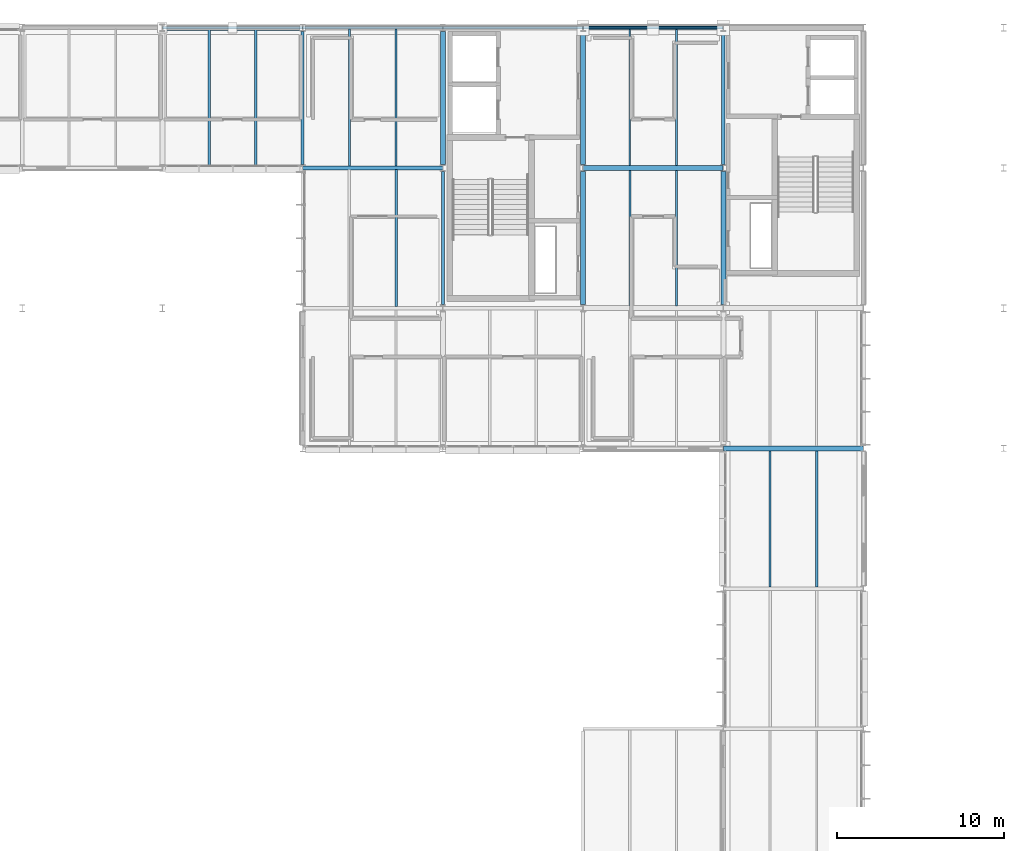
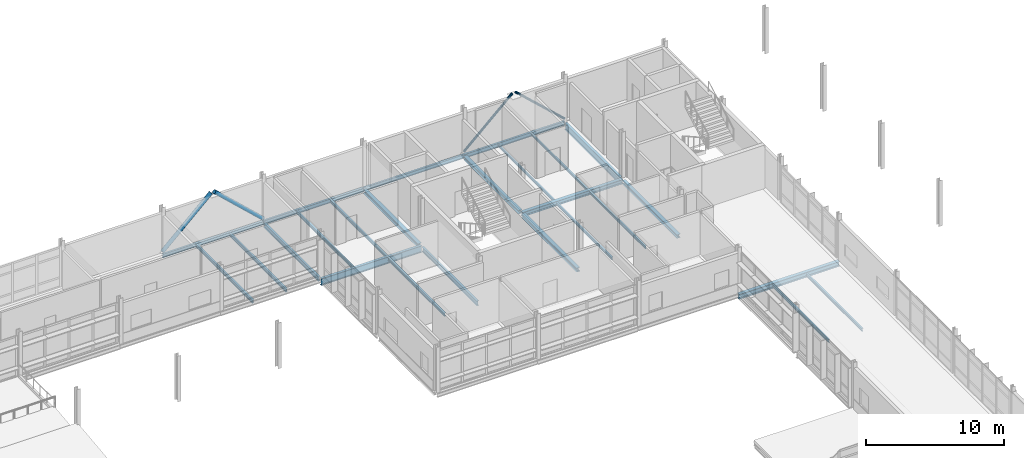
# One storey, part 41 of 66: 25 beams, 4 members.
"""IFC4 building model written with IfcOpenShell, lengths in metres."""

from ifc_helpers import new_model, si_unit, direction, frame, origin, origin_2d, place, context, subcontext, project, spatial, hollow_circle, i_section, extrude, material, material_profile, profile_set, type_object, element, save


model = new_model("IFC4")

# Units and contexts
model_context = context("Model", 3, precision=1e-05, world=origin(), true_north=direction((0.0, 1.0)))
body_context = subcontext(model_context, "Body", "Model", "MODEL_VIEW")
ifc_project = project(units=[si_unit("LENGTHUNIT", "METRE"), si_unit("AREAUNIT", "SQUARE_METRE"), si_unit("VOLUMEUNIT", "CUBIC_METRE"), si_unit("PLANEANGLEUNIT", "RADIAN"), si_unit("MASSUNIT", "GRAM", prefix="KILO")], contexts=[model_context])

# Site, building, storey
site_placement = place(None, origin())
site = spatial("IfcSite", under=ifc_project, at=site_placement, CompositionType="ELEMENT")
building_placement = place(site_placement, origin())
building = spatial("IfcBuilding", under=site, at=building_placement, Name="Mersafa Astral City Hall", CompositionType="ELEMENT")
storey_placement = place(building_placement, frame((0.0, 0.0, 22.050048828125)))
storey = spatial("IfcBuildingStorey", under=building, at=storey_placement, Name="L05", CompositionType="ELEMENT", Elevation=22.050048828125)

# Beams
ifc_material = material(Name="Steel S355", Category="steel")
ifc_material_profile_1 = material_profile(ifc_material, i_section(OverallWidth=0.300048828125, OverallDepth=0.31005859375, WebThickness=0.009033203125, FlangeThickness=0.015380859375, FilletRadius=0.027099609375, at=origin_2d()), Name="HEA 320")
ifc_profile_set_1 = profile_set([ifc_material_profile_1], Name="Steel S355")
beam_type_1 = type_object("IfcBeamType", Name="STR-BM-HEA320", PredefinedType="BEAM", material=ifc_profile_set_1)
for number, where, z_axis, x_axis, name in (
    (1, (159.60009765625, 117.820068359375, -0.3349609375), (0.0, 1.0, 0.0), (-1.0, 0.0, 0.0), "L05 Primary girder Y 19-14"),
    (2, (168.0, 109.419921875, -0.3349609375), (0.0, 1.0, 0.0), (-1.0, 0.0, 0.0), "L05 Primary girder Y 20-13"),
):
    element("IfcBeam", number, at=place(storey_placement, frame(where, z_axis=z_axis, x_axis=x_axis)), inside=storey, type_object=beam_type_1, Name=name, PredefinedType="BEAM", context=body_context, shape_type="SweptSolid", body=[
        extrude(i_section(OverallWidth=0.300048828125, OverallDepth=0.31005859375, WebThickness=0.009033203125, FlangeThickness=0.015380859375, FilletRadius=0.027099609375, at=origin_2d()), origin(), (0.0, 0.0, 1.0), 7.9599609375),
    ])
ifc_material_profile_2 = material_profile(ifc_material, i_section(OverallWidth=0.300048828125, OverallDepth=0.35009765625, WebThickness=0.010009765625, FlangeThickness=0.017578125, FilletRadius=0.027099609375, at=origin_2d()), Name="HEA 360")
ifc_profile_set_2 = profile_set([ifc_material_profile_2], Name="Steel S355")
beam_type_2 = type_object("IfcBeamType", Name="STR-BM-HEA360", PredefinedType="BEAM", material=ifc_profile_set_2)
for number, where, z_axis, x_axis, name in (
    (3, (151.199951171875, 117.820068359375, -0.35498046875), (0.0, 1.0, 0.0), (-1.0, 0.0, 0.0), "L05 Primary girder Y 18-14"),
    (4, (159.60009765625, 109.419921875, -0.35498046875), (0.0, 1.0, 0.0), (-1.0, 0.0, 0.0), "L05 Primary girder Y 19-13"),
):
    element("IfcBeam", number, at=place(storey_placement, frame(where, z_axis=z_axis, x_axis=x_axis)), inside=storey, type_object=beam_type_2, Name=name, PredefinedType="BEAM", context=body_context, shape_type="SweptSolid", body=[
        extrude(i_section(OverallWidth=0.300048828125, OverallDepth=0.35009765625, WebThickness=0.010009765625, FlangeThickness=0.017578125, FilletRadius=0.027099609375, at=origin_2d()), origin(), (0.0, 0.0, 1.0), 7.9599609375),
    ])
ifc_material_profile_3 = material_profile(ifc_material, i_section(OverallWidth=0.300048828125, OverallDepth=0.389892578125, WebThickness=0.010986328125, FlangeThickness=0.01904296875, FilletRadius=0.027099609375, at=origin_2d()), Name="HEA 400")
ifc_profile_set_3 = profile_set([ifc_material_profile_3], Name="Steel S355")
beam_type_3 = type_object("IfcBeamType", Name="STR-BM-HEA400", PredefinedType="BEAM", material=ifc_profile_set_3)
beam_1_placement = place(storey_placement, frame((159.60302734375, 117.60009765625, -0.375), z_axis=(1.0, 0.0, 0.0), x_axis=(0.0, 1.0, 0.0)))
element("IfcBeam", 5, at=beam_1_placement, inside=storey, type_object=beam_type_3, Name="L05 Primary girder X 19-14", PredefinedType="BEAM", context=body_context, shape_type="SweptSolid", body=[
    extrude(i_section(OverallWidth=0.300048828125, OverallDepth=0.389892578125, WebThickness=0.010986328125, FlangeThickness=0.01904296875, FilletRadius=0.027099609375, at=origin_2d()), origin(), (0.0, 0.0, 1.0), 8.39404296875),
])
ifc_material_profile_4 = material_profile(ifc_material, i_section(OverallWidth=0.300048828125, OverallDepth=0.43994140625, WebThickness=0.011474609375, FlangeThickness=0.02099609375, FilletRadius=0.027099609375, at=origin_2d()), Name="HEA 450")
ifc_profile_set_4 = profile_set([ifc_material_profile_4], Name="Steel S355")
beam_type_4 = type_object("IfcBeamType", Name="STR-BM-HEA450", PredefinedType="BEAM", material=ifc_profile_set_4)
beam_2_placement = place(storey_placement, frame((168.0029296875, 100.800048828125, -0.400146484375), z_axis=(1.0, 0.0, 0.0), x_axis=(0.0, 1.0, 0.0)))
element("IfcBeam", 6, at=beam_2_placement, inside=storey, type_object=beam_type_4, Name="L05 Primary girder X 20-12", PredefinedType="BEAM", context=body_context, shape_type="SweptSolid", body=[
    extrude(i_section(OverallWidth=0.300048828125, OverallDepth=0.43994140625, WebThickness=0.011474609375, FlangeThickness=0.02099609375, FilletRadius=0.027099609375, at=origin_2d()), origin(), (0.0, 0.0, 1.0), 8.39404296875),
])
ifc_material_profile_5 = material_profile(ifc_material, i_section(OverallWidth=0.179931640625, OverallDepth=0.39990234375, WebThickness=0.008544921875, FlangeThickness=0.013427734375, FilletRadius=0.02099609375, at=origin_2d()), Name="IPE 400")
ifc_profile_set_5 = profile_set([ifc_material_profile_5], Name="Steel S355")
beam_type_5 = type_object("IfcBeamType", Name="STR-BM-IPE400", PredefinedType="BEAM", material=ifc_profile_set_5)
for number, where, z_axis, x_axis, name in (
    (7, (142.800048828125, 117.820068359375, -0.380126953125), (0.0, 1.0, 0.0), (-1.0, 0.0, 0.0), "L05 Primary girder Y 17-14"),
    (8, (151.199951171875, 109.419921875, -0.380126953125), (0.0, 1.0, 0.0), (-1.0, 0.0, 0.0), "L05 Primary girder Y 18-13"),
):
    element("IfcBeam", number, at=place(storey_placement, frame(where, z_axis=z_axis, x_axis=x_axis)), inside=storey, type_object=beam_type_5, Name=name, PredefinedType="BEAM", context=body_context, shape_type="SweptSolid", body=[
        extrude(i_section(OverallWidth=0.179931640625, OverallDepth=0.39990234375, WebThickness=0.008544921875, FlangeThickness=0.013427734375, FilletRadius=0.02099609375, at=origin_2d()), origin(), (0.0, 0.0, 1.0), 7.9599609375),
    ])
ifc_material_profile_6 = material_profile(ifc_material, i_section(OverallWidth=0.219970703125, OverallDepth=0.60009765625, WebThickness=0.011962890625, FlangeThickness=0.01904296875, FilletRadius=0.02392578125, at=origin_2d()), Name="IPE 600")
ifc_profile_set_6 = profile_set([ifc_material_profile_6], Name="Steel S355")
beam_type_6 = type_object("IfcBeamType", Name="STR-BM-IPE600", PredefinedType="BEAM", material=ifc_profile_set_6)
beam_3_placement = place(storey_placement, frame((142.802978515625, 117.60009765625, -0.47998046875), z_axis=(1.0, 0.0, 0.0), x_axis=(0.0, 1.0, 0.0)))
element("IfcBeam", 9, at=beam_3_placement, inside=storey, type_object=beam_type_6, Name="L05 Primary girder X 17-14", PredefinedType="BEAM", context=body_context, shape_type="SweptSolid", body=[
    extrude(i_section(OverallWidth=0.219970703125, OverallDepth=0.60009765625, WebThickness=0.011962890625, FlangeThickness=0.01904296875, FilletRadius=0.02392578125, at=origin_2d()), origin(), (0.0, 0.0, 1.0), 8.39404296875),
])
beam_4_placement = place(storey_placement, frame((168.0, 117.820068359375, -0.47998046875), z_axis=(0.0, 1.0, 0.0), x_axis=(-1.0, 0.0, 0.0)))
element("IfcBeam", 10, at=beam_4_placement, inside=storey, type_object=beam_type_6, Name="L05 Primary girder Y 20-14", PredefinedType="BEAM", context=body_context, shape_type="SweptSolid", body=[
    extrude(i_section(OverallWidth=0.219970703125, OverallDepth=0.60009765625, WebThickness=0.011962890625, FlangeThickness=0.01904296875, FilletRadius=0.02392578125, at=origin_2d()), origin(), (0.0, 0.0, 1.0), 7.9599609375),
])
ifc_material_profile_7 = material_profile(ifc_material, i_section(OverallWidth=0.110107421875, OverallDepth=0.219970703125, WebThickness=0.005859375, FlangeThickness=0.00927734375, FilletRadius=0.011962890625, at=origin_2d()), Name="IPE 220")
ifc_profile_set_7 = profile_set([ifc_material_profile_7], Name="Steel S355")
beam_type_7 = type_object("IfcBeamType", Name="STR-BM-JOIST-IPE220", PredefinedType="JOIST", material=ifc_profile_set_7)
for number, where, z_axis, x_axis, name in (
    (11, (162.39990234375, 117.7451171875, -0.2900390625), (0.0, 1.0, 0.0), (-1.0, 0.0, 0.0), "L05 Composite secondary floor joist 827"),
    (12, (165.199951171875, 117.7451171875, -0.2900390625), (0.0, 1.0, 0.0), (-1.0, 0.0, 0.0), "L05 Composite secondary floor joist 828"),
):
    element("IfcBeam", number, at=place(storey_placement, frame(where, z_axis=z_axis, x_axis=x_axis)), inside=storey, type_object=beam_type_7, Name=name, PredefinedType="JOIST", context=body_context, shape_type="SweptSolid", body=[
        extrude(i_section(OverallWidth=0.110107421875, OverallDepth=0.219970703125, WebThickness=0.005859375, FlangeThickness=0.00927734375, FilletRadius=0.011962890625, at=origin_2d()), origin(), (0.0, 0.0, 1.0), 8.1748046875),
    ])
ifc_material_profile_8 = material_profile(ifc_material, i_section(OverallWidth=0.1201171875, OverallDepth=0.239990234375, WebThickness=0.006103515625, FlangeThickness=0.009765625, FilletRadius=0.014892578125, at=origin_2d()), Name="IPE 240")
ifc_profile_set_8 = profile_set([ifc_material_profile_8], Name="Steel S355")
beam_type_8 = type_object("IfcBeamType", Name="STR-BM-JOIST-IPE240", PredefinedType="JOIST", material=ifc_profile_set_8)
for number, where, z_axis, x_axis, name in (
    (13, (162.39990234375, 109.344970703125, -0.300048828125), (0.0, 1.0, 0.0), (-1.0, 0.0, 0.0), "L05 Composite secondary floor joist 825"),
    (14, (165.199951171875, 109.344970703125, -0.300048828125), (0.0, 1.0, 0.0), (-1.0, 0.0, 0.0), "L05 Composite secondary floor joist 826"),
):
    element("IfcBeam", number, at=place(storey_placement, frame(where, z_axis=z_axis, x_axis=x_axis)), inside=storey, type_object=beam_type_8, Name=name, PredefinedType="JOIST", context=body_context, shape_type="SweptSolid", body=[
        extrude(i_section(OverallWidth=0.1201171875, OverallDepth=0.239990234375, WebThickness=0.006103515625, FlangeThickness=0.009765625, FilletRadius=0.014892578125, at=origin_2d()), origin(), (0.0, 0.0, 1.0), 8.110107421875),
    ])
ifc_material_profile_9 = material_profile(ifc_material, i_section(OverallWidth=0.135009765625, OverallDepth=0.27001953125, WebThickness=0.006591796875, FlangeThickness=0.01025390625, FilletRadius=0.014892578125, at=origin_2d()), Name="IPE 270")
ifc_profile_set_9 = profile_set([ifc_material_profile_9], Name="Steel S355")
beam_type_9 = type_object("IfcBeamType", Name="STR-BM-JOIST-IPE270", PredefinedType="JOIST", material=ifc_profile_set_9)
for number, where, z_axis, x_axis, name in (
    (15, (145.60009765625, 117.705078125, -0.31494140625), (0.0, 1.0, 0.0), (-1.0, 0.0, 0.0), "L05 Composite secondary floor joist 813"),
    (16, (148.39990234375, 117.705078125, -0.31494140625), (0.0, 1.0, 0.0), (-1.0, 0.0, 0.0), "L05 Composite secondary floor joist 814"),
):
    element("IfcBeam", number, at=place(storey_placement, frame(where, z_axis=z_axis, x_axis=x_axis)), inside=storey, type_object=beam_type_9, Name=name, PredefinedType="JOIST", context=body_context, shape_type="SweptSolid", body=[
        extrude(i_section(OverallWidth=0.135009765625, OverallDepth=0.27001953125, WebThickness=0.006591796875, FlangeThickness=0.01025390625, FilletRadius=0.014892578125, at=origin_2d()), origin(), (0.0, 0.0, 1.0), 8.21484375),
    ])
for number, where, z_axis, x_axis, name in (
    (17, (170.800048828125, 92.5048828125, -0.31494140625), (0.0, 1.0, 0.0), (-1.0, 0.0, 0.0), "L05 Composite secondary floor joist 836"),
    (18, (173.60009765625, 92.5048828125, -0.31494140625), (0.0, 1.0, 0.0), (-1.0, 0.0, 0.0), "L05 Composite secondary floor joist 837"),
):
    element("IfcBeam", number, at=place(storey_placement, frame(where, z_axis=z_axis, x_axis=x_axis)), inside=storey, type_object=beam_type_9, Name=name, PredefinedType="JOIST", context=body_context, shape_type="SweptSolid", body=[
        extrude(i_section(OverallWidth=0.135009765625, OverallDepth=0.27001953125, WebThickness=0.006591796875, FlangeThickness=0.01025390625, FilletRadius=0.014892578125, at=origin_2d()), origin(), (0.0, 0.0, 1.0), 8.150146484375),
    ])
ifc_material_profile_10 = material_profile(ifc_material, i_section(OverallWidth=0.14990234375, OverallDepth=0.300048828125, WebThickness=0.007080078125, FlangeThickness=0.0107421875, FilletRadius=0.014892578125, at=origin_2d()), Name="IPE 300")
ifc_profile_set_10 = profile_set([ifc_material_profile_10], Name="Steel S355")
beam_type_10 = type_object("IfcBeamType", Name="STR-BM-JOIST-IPE300", PredefinedType="JOIST", material=ifc_profile_set_10)
for number, where, z_axis, x_axis, name in (
    (19, (137.199951171875, 117.679931640625, -0.330078125), (0.0, 1.0, 0.0), (-1.0, 0.0, 0.0), "L05 Composite secondary floor joist 807"),
    (20, (140.0, 117.679931640625, -0.330078125), (0.0, 1.0, 0.0), (-1.0, 0.0, 0.0), "L05 Composite secondary floor joist 808"),
):
    element("IfcBeam", number, at=place(storey_placement, frame(where, z_axis=z_axis, x_axis=x_axis)), inside=storey, type_object=beam_type_10, Name=name, PredefinedType="JOIST", context=body_context, shape_type="SweptSolid", body=[
        extrude(i_section(OverallWidth=0.14990234375, OverallDepth=0.300048828125, WebThickness=0.007080078125, FlangeThickness=0.0107421875, FilletRadius=0.014892578125, at=origin_2d()), origin(), (0.0, 0.0, 1.0), 8.2451171875),
    ])
beam_5_placement = place(storey_placement, frame((148.39990234375, 109.294921875, -0.330078125), z_axis=(0.0, 1.0, 0.0), x_axis=(-1.0, 0.0, 0.0)))
element("IfcBeam", 21, at=beam_5_placement, inside=storey, type_object=beam_type_10, Name="L05 Composite secondary floor joist 812", PredefinedType="JOIST", context=body_context, shape_type="SweptSolid", body=[
    extrude(i_section(OverallWidth=0.14990234375, OverallDepth=0.300048828125, WebThickness=0.007080078125, FlangeThickness=0.0107421875, FilletRadius=0.014892578125, at=origin_2d()), origin(), (0.0, 0.0, 1.0), 8.2001953125),
])
ifc_material_profile_11 = material_profile(ifc_material, i_section(OverallWidth=0.159912109375, OverallDepth=0.330078125, WebThickness=0.007568359375, FlangeThickness=0.011474609375, FilletRadius=0.01806640625, at=origin_2d()), Name="IPE 330")
ifc_profile_set_11 = profile_set([ifc_material_profile_11], Name="Steel S355")
beam_type_11 = type_object("IfcBeamType", Name="STR-BM-SPANDREL-IPE330", PredefinedType="SPANDREL", material=ifc_profile_set_11)
for number, where, z_axis, x_axis, name in (
    (22, (134.403076171875, 126.0, -0.344970703125), (1.0, 0.0, 0.0), (0.0, 1.0, 0.0), "L05 Primary girder X 16-15"),
    (23, (151.202880859375, 126.0, -0.344970703125), (1.0, 0.0, 0.0), (0.0, 1.0, 0.0), "L05 Primary girder X 18-15"),
):
    element("IfcBeam", number, at=place(storey_placement, frame(where, z_axis=z_axis, x_axis=x_axis)), inside=storey, type_object=beam_type_11, Name=name, PredefinedType="SPANDREL", context=body_context, shape_type="SweptSolid", body=[
        extrude(i_section(OverallWidth=0.159912109375, OverallDepth=0.330078125, WebThickness=0.007568359375, FlangeThickness=0.011474609375, FilletRadius=0.01806640625, at=origin_2d()), origin(), (0.0, 0.0, 1.0), 8.39404296875),
    ])
ifc_material_profile_12 = material_profile(ifc_material, i_section(OverallWidth=0.169921875, OverallDepth=0.360107421875, WebThickness=0.008056640625, FlangeThickness=0.0126953125, FilletRadius=0.01806640625, at=origin_2d()), Name="IPE 360")
ifc_profile_set_12 = profile_set([ifc_material_profile_12], Name="Steel S355")
beam_type_12 = type_object("IfcBeamType", Name="STR-BM-SPANDREL-IPE360", PredefinedType="SPANDREL", material=ifc_profile_set_12)
for number, where, z_axis, x_axis, name in (
    (24, (142.802978515625, 126.0, -0.360107421875), (1.0, 0.0, 0.0), (0.0, 1.0, 0.0), "L05 Primary girder X 17-15"),
    (25, (159.60302734375, 126.0, -0.360107421875), (1.0, 0.0, 0.0), (0.0, 1.0, 0.0), "L05 Primary girder X 19-15"),
):
    element("IfcBeam", number, at=place(storey_placement, frame(where, z_axis=z_axis, x_axis=x_axis)), inside=storey, type_object=beam_type_12, Name=name, PredefinedType="SPANDREL", context=body_context, shape_type="SweptSolid", body=[
        extrude(i_section(OverallWidth=0.169921875, OverallDepth=0.360107421875, WebThickness=0.008056640625, FlangeThickness=0.0126953125, FilletRadius=0.01806640625, at=origin_2d()), origin(), (0.0, 0.0, 1.0), 8.39404296875),
    ])

# Members
ifc_material_profile_13 = material_profile(ifc_material, hollow_circle(Radius=0.096923828125, WallThickness=0.010009765625, at=origin_2d()), Name="CHS 193.7x10")
ifc_profile_set_13 = profile_set([ifc_material_profile_13], Name="Steel S355")
member_type_1 = type_object("IfcMemberType", Name="STR-MBR-BRACE-CHS194", PredefinedType="BRACE", material=ifc_profile_set_13)
for number, where, z_axis, x_axis, name in (
    (26, (159.597900390625, 126.0, 0.02001953125), (0.734322707437, 0.0, 0.678800531337), (0.0, 1.0, 0.0), "L05 Chevron lateral brace 28A"),
    (27, (168.001953125, 126.0, 0.02001953125), (-0.734322707437, 0.0, 0.678800531337), (0.0, -1.0, 0.0), "L05 Chevron lateral brace 28B"),
):
    element("IfcMember", number, at=place(storey_placement, frame(where, z_axis=z_axis, x_axis=x_axis)), inside=storey, type_object=member_type_1, Name=name, PredefinedType="BRACE", context=body_context, shape_type="SweptSolid", body=[
        extrude(hollow_circle(Radius=0.096923828125, WallThickness=0.010009765625, at=origin_2d()), origin(), (0.0, 0.0, 1.0), 5.53173828125),
    ])
ifc_material_profile_14 = material_profile(ifc_material, hollow_circle(Radius=0.161865234375, WallThickness=0.01611328125, at=origin_2d()), Name="CHS 323.9x16")
ifc_profile_set_14 = profile_set([ifc_material_profile_14], Name="Steel S355")
member_type_2 = type_object("IfcMemberType", Name="STR-MBR-BRACE-CHS324", PredefinedType="BRACE", material=ifc_profile_set_14)
for number, where, z_axis, x_axis, name in (
    (28, (134.39794921875, 126.0, 0.02001953125), (0.73162091968, 0.0, 0.681711691177), (0.0, 1.0, 0.0), "L05 Chevron lateral brace 19A"),
    (29, (142.802001953125, 126.0, 0.02001953125), (-0.73162091968, 0.0, 0.681711691177), (0.0, -1.0, 0.0), "L05 Chevron lateral brace 19B"),
):
    element("IfcMember", number, at=place(storey_placement, frame(where, z_axis=z_axis, x_axis=x_axis)), inside=storey, type_object=member_type_2, Name=name, PredefinedType="BRACE", context=body_context, shape_type="SweptSolid", body=[
        extrude(hollow_circle(Radius=0.161865234375, WallThickness=0.01611328125, at=origin_2d()), origin(), (0.0, 0.0, 1.0), 5.552001953125),
    ])

save(model, "model.ifc")
